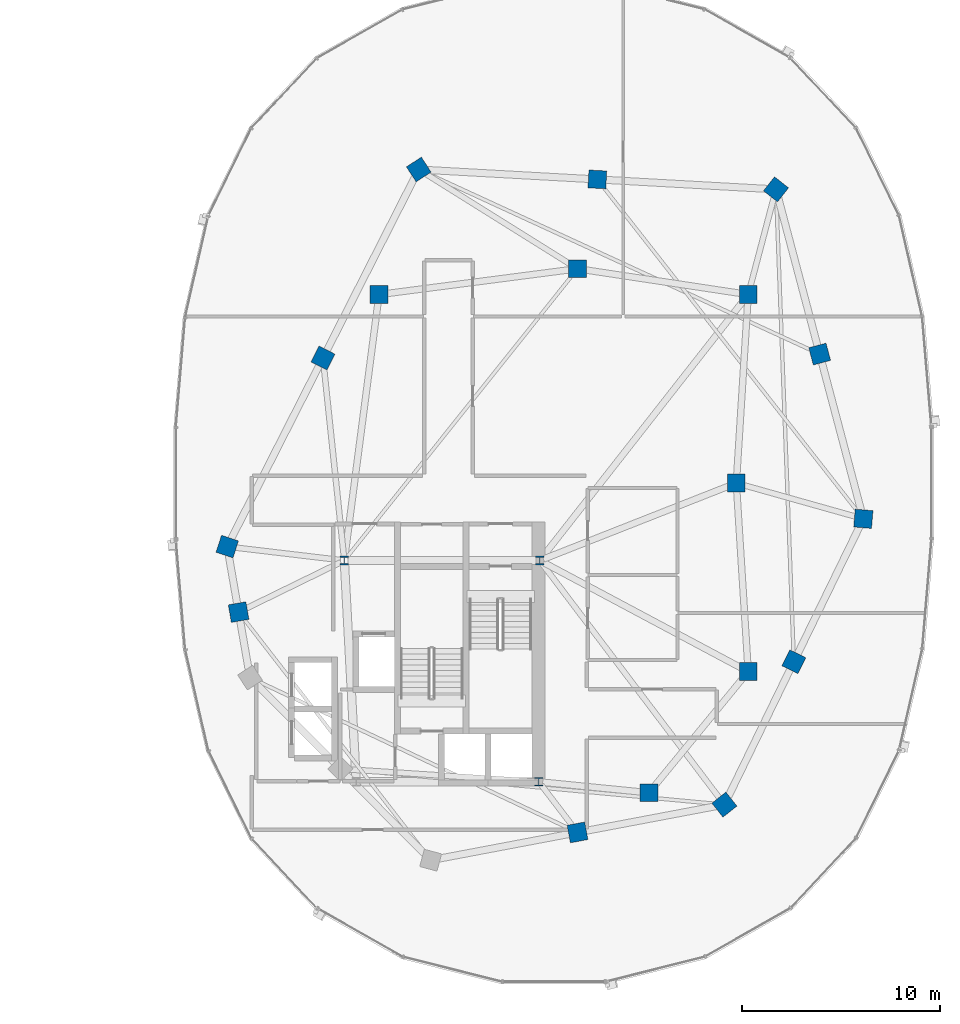
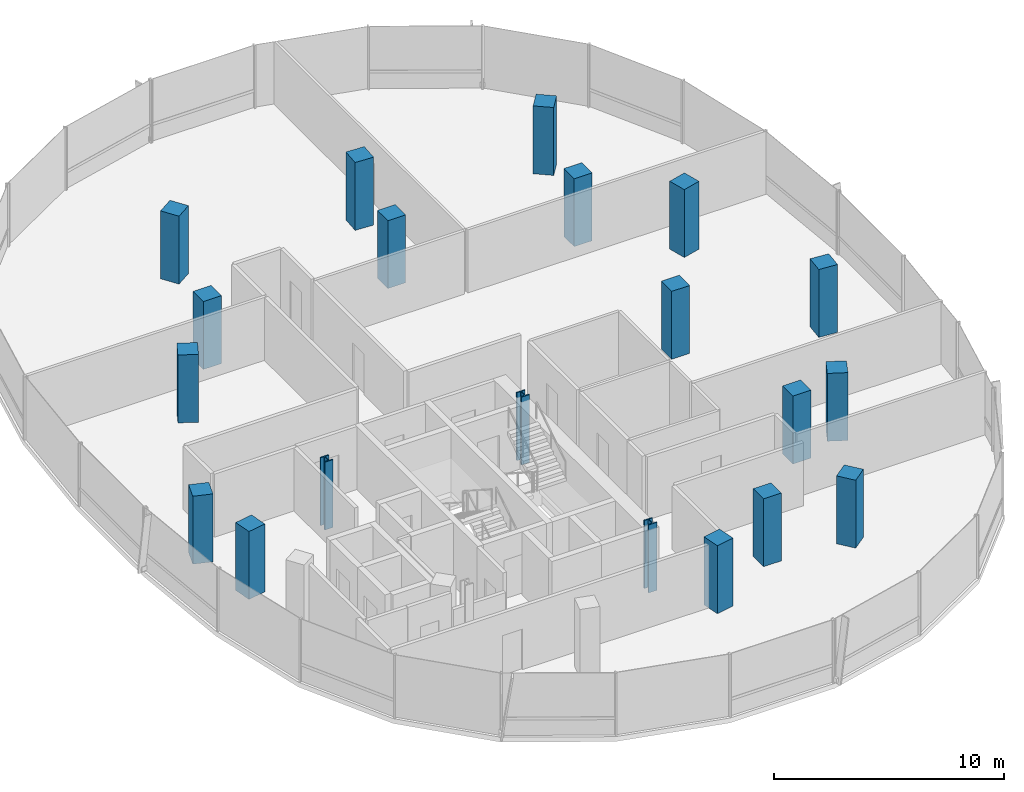
# One storey, part 2 of 25: 20 columns.
"""IFC4 building model written with IfcOpenShell, lengths in metres."""

from ifc_helpers import new_model, si_unit, direction, frame, origin, origin_2d, place, context, subcontext, project, spatial, rectangle, i_section, extrude, material, material_profile, profile_set, type_object, element, save


model = new_model("IFC4")

# Units and contexts
model_context = context("Model", 3, precision=1e-05, world=origin(), true_north=direction((0.0, 1.0)))
body_context = subcontext(model_context, "Body", "Model", "MODEL_VIEW")
ifc_project = project(units=[si_unit("LENGTHUNIT", "METRE"), si_unit("AREAUNIT", "SQUARE_METRE"), si_unit("VOLUMEUNIT", "CUBIC_METRE"), si_unit("PLANEANGLEUNIT", "RADIAN"), si_unit("MASSUNIT", "GRAM", prefix="KILO"), si_unit("THERMODYNAMICTEMPERATUREUNIT", "KELVIN"), si_unit("POWERUNIT", "WATT")], contexts=[model_context])

# Site, building, storey
site_placement = place(None, origin())
site = spatial("IfcSite", under=ifc_project, at=site_placement, CompositionType="ELEMENT")
building_placement = place(site_placement, origin())
building = spatial("IfcBuilding", under=site, at=building_placement, Name="Cundina Bronze Exchange", CompositionType="ELEMENT")
storey_placement = place(building_placement, frame((0.0, 0.0, 209.800048828125)))
storey = spatial("IfcBuildingStorey", under=building, at=storey_placement, Name="L55", CompositionType="ELEMENT", Elevation=209.800048828125)

# Columns
ifc_material_1 = material(Name="Steel ASTM A992 Grade 50", Category="steel")
ifc_material_profile_1 = material_profile(ifc_material_1, i_section(OverallWidth=0.416015625, OverallDepth=0.446044921875, WebThickness=0.0390625, FlangeThickness=0.062744140625, FilletRadius=0.01806640625, at=origin_2d()), Name="W14X342", Category="steel")
ifc_profile_set_1 = profile_set([ifc_material_profile_1], Name="Steel ASTM A992 Grade 50")
column_type_1 = type_object("IfcColumnType", Name="COL-STL-W14B", PredefinedType="COLUMN", material=ifc_profile_set_1)
for number, where, z_axis, x_axis, name in (
    (1, (31.300048828125, -3.89990234375, 0.0), (0.0, 0.0, 1.0), (1.0, 0.0, 0.0), "L55 Core Anchor Column E1"),
    (2, (21.449951171875, -3.89990234375, 0.0), (0.0, 0.0, 1.0), (1.0, 0.0, 0.0), "L55 Core Anchor Column E2"),
    (3, (31.25, -15.050048828125, 0.0), (0.0, 0.0, 1.0), (1.0, 0.0, 0.0), "L55 Core Anchor Column E4"),
):
    element("IfcColumn", number, at=place(storey_placement, frame(where, z_axis=z_axis, x_axis=x_axis)), inside=storey, type_object=column_type_1, Name=name, PredefinedType="COLUMN", context=body_context, shape_type="SweptSolid", body=[
        extrude(i_section(OverallWidth=0.416015625, OverallDepth=0.446044921875, WebThickness=0.0390625, FlangeThickness=0.062744140625, FilletRadius=0.01806640625, at=origin_2d()), origin(), (0.0, 0.0, 1.0), 3.599853515625),
    ])
ifc_material_2 = material(Name="Concrete C50/60", Category="concrete")
ifc_material_profile_2 = material_profile(ifc_material_2, rectangle(XDim=0.89990234375, YDim=0.89990234375, at=origin_2d()), Name="RC900X900", Category="concrete")
ifc_profile_set_2 = profile_set([ifc_material_profile_2], Name="Concrete C50/60")
column_type_2 = type_object("IfcColumnType", Name="COL-Z4-900", PredefinedType="COLUMN", material=ifc_profile_set_2)
for number, where, z_axis, x_axis, name in (
    (4, (41.199951171875, 0.0, 0.0), (0.0, 0.0, 1.0), (1.0, 0.0, 0.0), "L55 E Inner Ring Column 1"),
    (5, (41.800048828125, -9.5, 0.0), (0.0, 0.0, 1.0), (1.0, 0.0, 0.0), "L55 E Inner Ring Column 2"),
    (6, (36.800048828125, -15.60009765625, 0.0), (0.0, 0.0, 1.0), (1.0, 0.0, 0.0), "L55 E Inner Ring Column 3"),
    (7, (41.800048828125, 9.5, 0.0), (0.0, 0.0, 1.0), (1.0, 0.0, 0.0), "L55 E Inner Ring Column 4"),
    (8, (33.199951171875, 10.800048828125, 0.0), (0.0, 0.0, 1.0), (1.0, 0.0, 0.0), "L55 E Inner Ring Column 5"),
    (9, (23.199951171875, 9.5, 0.0), (0.0, 0.0, 1.0), (1.0, 0.0, 0.0), "L55 E Inner Ring Column 6"),
    (10, (15.550048828125, -3.199951171875, 0.0), (0.0, 0.0, 1.0), (-0.315152163383, -0.949041155016, 0.0), "L55 E Perimeter Column 00"),
    (11, (16.125, -6.5, 0.0), (0.0, 0.0, 1.0), (0.171585221787, -0.985169280715, 0.0), "L55 E Perimeter Column 01"),
    (12, (33.199951171875, -17.60009765625, 0.0), (0.0, 0.0, 1.0), (0.98258037664, 0.185838110843, 0.0), "L55 E Perimeter Column 05"),
    (13, (40.60009765625, -16.199951171875, 0.0), (0.0, 0.0, 1.0), (0.785100778485, 0.619368038909, 0.0), "L55 E Perimeter Column 06"),
    (14, (44.10009765625, -9.0, 0.0), (0.0, 0.0, 1.0), (0.437115766651, 0.899405251566, 0.0), "L55 E Perimeter Column 07"),
    (15, (47.60009765625, -1.800048828125, 0.0), (0.0, 0.0, 1.0), (0.083503921245, 0.996507448611, 0.0), "L55 E Perimeter Column 08"),
    (16, (45.39990234375, 6.5, 0.0), (0.0, 0.0, 1.0), (-0.256289373133, 0.966600102017, 0.0), "L55 E Perimeter Column 09"),
    (17, (43.199951171875, 14.800048828125, 0.0), (0.0, 0.0, 1.0), (-0.786288432137, 0.61785961309, 0.0), "L55 E Perimeter Column 10"),
    (18, (34.199951171875, 15.300048828125, 0.0), (0.0, 0.0, 1.0), (-0.998460188734, 0.055472980025, 0.0), "L55 E Perimeter Column 11"),
    (19, (25.199951171875, 15.800048828125, 0.0), (0.0, 0.0, 1.0), (-0.838099763533, -0.545516989988, 0.0), "L55 E Perimeter Column 12"),
    (20, (20.375, 6.300048828125, 0.0), (0.0, 0.0, 1.0), (-0.452901591366, -0.891560513111, 0.0), "L55 E Perimeter Column 13"),
):
    element("IfcColumn", number, at=place(storey_placement, frame(where, z_axis=z_axis, x_axis=x_axis)), inside=storey, type_object=column_type_2, Name=name, PredefinedType="COLUMN", context=body_context, shape_type="SweptSolid", body=[
        extrude(rectangle(XDim=0.89990234375, YDim=0.89990234375, at=origin_2d()), origin(), (0.0, 0.0, 1.0), 3.599853515625),
    ])

save(model, "model.ifc")
